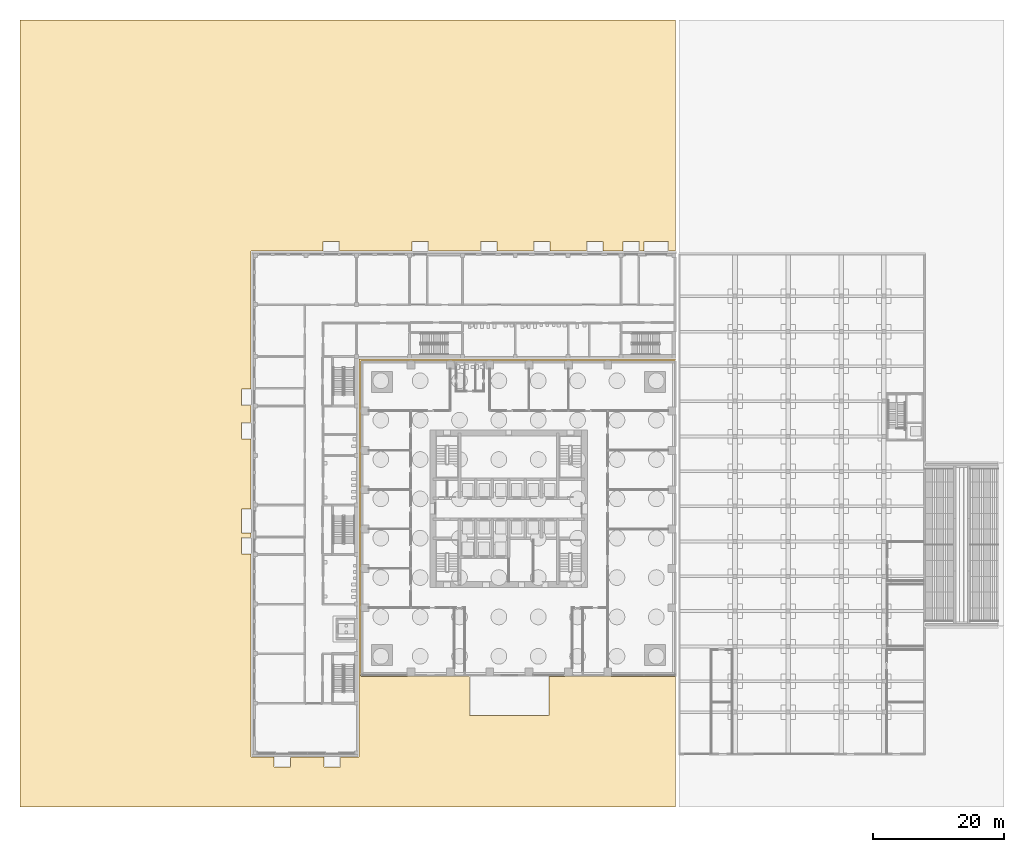
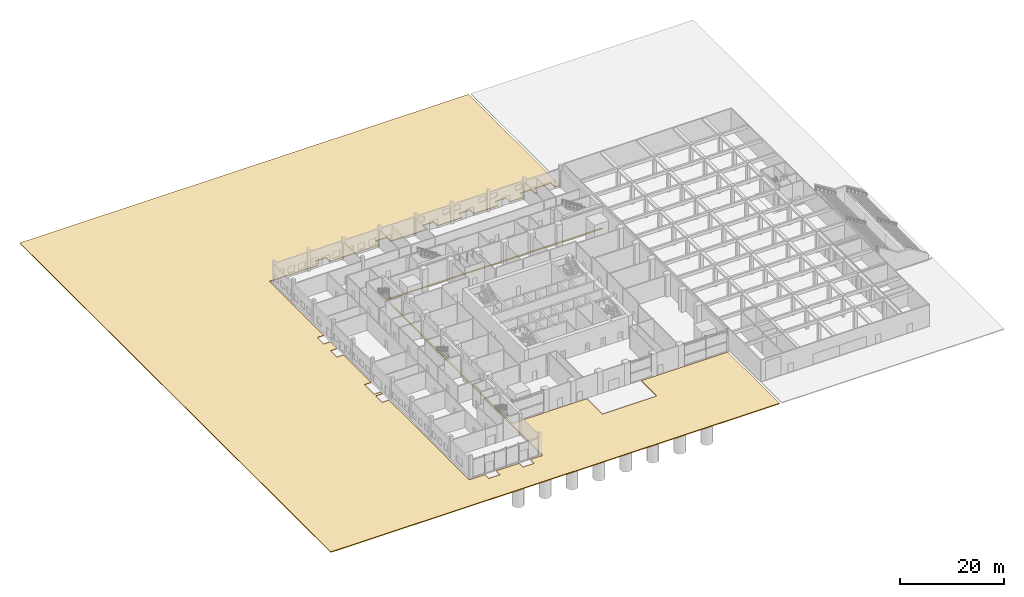
# One storey, part 27 of 33: 1 covering.
"""IFC4 building model written with IfcOpenShell, lengths in metres."""

import ifcopenshell
import ifcopenshell.guid

model = None  # the IFC model being written
_history = None  # IfcOwnerHistory: only IFC2X3 demands one
_inside = {}  # id of a spatial element -> (the spatial element, [elements in it])
_under = {}  # id of a project, library or spatial element -> (it, [spatial elements below it])
_declared = {}  # id of a project -> (the project, [libraries it declares])
_typed = {}  # id of a type object -> (the type object, [elements of that type])
_made_of = {}  # id of a material, layer set ... -> (it, [elements and type objects made of it])


def new_model(schema):
    """Start an empty IFC model of exactly this schema.

    Asked for "IFC4X3", IfcOpenShell would pick the latest addendum, in which some entities
    have other attributes; the version numbers below select the first issue.
    IFC2X3 requires an IfcOwnerHistory on every rooted entity: one is made here for all.
    """
    global model, _history
    if schema == "IFC4X3":
        model = ifcopenshell.file(schema_version=(4, 3, 0, 0))
    else:
        model = ifcopenshell.file(schema=schema)
    _inside.clear()
    _under.clear()
    _declared.clear()
    _typed.clear()
    _made_of.clear()
    _history = None
    if model.schema == "IFC2X3":
        org = make("IfcOrganization", Name="unknown")
        user = make(
            "IfcPersonAndOrganization",
            ThePerson=make("IfcPerson", FamilyName="unknown"),
            TheOrganization=org,
        )
        app = make(
            "IfcApplication",
            ApplicationDeveloper=org,
            Version="unknown",
            ApplicationFullName="unknown",
            ApplicationIdentifier="unknown",
        )
        _history = make(
            "IfcOwnerHistory",
            OwningUser=user,
            OwningApplication=app,
            ChangeAction="ADDED",
            CreationDate=0,
        )
    return model


def make(cls, **values):
    """One entity of the class cls with the attributes given. An attribute that is None is left unset."""
    return model.create_entity(
        cls, **{name: value for name, value in values.items() if value is not None}
    )


def rooted(cls, **values):
    """An entity with a GlobalId (a new one), such as an element, a storey or a relation."""
    return make(cls, GlobalId=ifcopenshell.guid.new(), OwnerHistory=_history, **values)


def si_unit(unit_type, name, prefix=None):
    """IfcSIUnit, for example si_unit("LENGTHUNIT", "METRE", prefix="MILLI")."""
    return make("IfcSIUnit", UnitType=unit_type, Prefix=prefix, Name=name)


def assignment(units):
    """IfcUnitAssignment: the units of a project."""
    return None if units is None else make("IfcUnitAssignment", Units=units)


def point(xyz):
    """IfcCartesianPoint."""
    return None if xyz is None else make("IfcCartesianPoint", Coordinates=xyz)


def direction(xyz):
    """IfcDirection."""
    return None if xyz is None else make("IfcDirection", DirectionRatios=xyz)


def frame(location, z_axis=None, x_axis=None):
    """IfcAxis2Placement3D, a coordinate frame: its origin and axes. An axis left out is left unset."""
    return make(
        "IfcAxis2Placement3D",
        Location=point(location),
        Axis=direction(z_axis),
        RefDirection=direction(x_axis),
    )


def origin():
    """The frame at (0, 0, 0) with its axes left unset."""
    return frame((0.0, 0.0, 0.0))


def place(relative_to, where):
    """IfcLocalPlacement: puts the frame where relative to a parent placement (None: the world)."""
    return make(
        "IfcLocalPlacement", PlacementRelTo=relative_to, RelativePlacement=where
    )


def context(
    kind, dimensions, precision=None, world=None, true_north=None, identifier=None
):
    """IfcGeometricRepresentationContext, for example the 3D "Model" context."""
    return make(
        "IfcGeometricRepresentationContext",
        ContextIdentifier=identifier,
        ContextType=kind,
        CoordinateSpaceDimension=dimensions,
        Precision=precision,
        WorldCoordinateSystem=world,
        TrueNorth=true_north,
    )


def subcontext(parent, identifier, kind, view, scale=None):
    """IfcGeometricRepresentationSubContext, for example "Body" below "Model"."""
    return make(
        "IfcGeometricRepresentationSubContext",
        ContextIdentifier=identifier,
        ContextType=kind,
        ParentContext=parent,
        TargetScale=scale,
        TargetView=view,
    )


def project(units=None, contexts=None):
    """IfcProject with its units and contexts."""
    return rooted(
        "IfcProject",
        Name="project",
        RepresentationContexts=contexts,
        UnitsInContext=assignment(units),
    )


def spatial(cls, under=None, at=None, **own):
    """A site, building, storey or space (cls), placed at a placement, below another one or the project."""
    s = rooted(cls, ObjectPlacement=at, **own)
    if under is not None:
        _under.setdefault(under.id(), (under, []))[1].append(s)
    return s


def polyline(points):
    """IfcPolyline through the points."""
    return make("IfcPolyline", Points=[point(p) for p in points])


def outline(outer, holes=None, kind="AREA"):
    """IfcArbitraryClosedProfileDef: a profile drawn as a closed curve; with holes, ...WithVoids."""
    if holes is None:
        return make("IfcArbitraryClosedProfileDef", ProfileType=kind, OuterCurve=outer)
    return make(
        "IfcArbitraryProfileDefWithVoids",
        ProfileType=kind,
        OuterCurve=outer,
        InnerCurves=holes,
    )


def extrude(swept, where, along, depth):
    """IfcExtrudedAreaSolid: the profile swept, set in the frame where, extruded along a direction by depth."""
    return make(
        "IfcExtrudedAreaSolid",
        SweptArea=swept,
        Position=where,
        ExtrudedDirection=direction(along),
        Depth=depth,
    )


def shape(context_of_items, identifier, shape_type, items):
    """IfcShapeRepresentation: the items that make up one representation, for example the "Body"."""
    return make(
        "IfcShapeRepresentation",
        ContextOfItems=context_of_items,
        RepresentationIdentifier=identifier,
        RepresentationType=shape_type,
        Items=items,
    )


def material(Name=None, Category=None):
    """IfcMaterial."""
    return make("IfcMaterial", Name=Name, Category=Category)


def layer(
    of_material, thickness, ventilated=None, Name=None, Category=None, Priority=None
):
    """IfcMaterialLayer: one layer of a wall or slab, of a material (None: an air gap)."""
    return make(
        "IfcMaterialLayer",
        Material=of_material,
        LayerThickness=thickness,
        IsVentilated=ventilated,
        Name=Name,
        Category=Category,
        Priority=Priority,
    )


def layer_set(layers, Name=None):
    """IfcMaterialLayerSet."""
    return make("IfcMaterialLayerSet", MaterialLayers=layers, LayerSetName=Name)


def made_of(thing, what):
    """Note that an element or type object is made of a material, layer set ...; save() writes the relation."""
    if what is not None:
        _made_of.setdefault(what.id(), (what, []))[1].append(thing)
    return thing


def type_object(cls, material=None, **own):
    """A type object (cls), such as IfcWallType, which elements share."""
    return made_of(rooted(cls, **own), material)


def element(
    cls,
    number,
    at=None,
    inside=None,
    cuts=None,
    type_object=None,
    material=None,
    context=None,
    identifier="Body",
    shape_type=None,
    held_by="IfcProductDefinitionShape",
    body=None,
    shapes=None,
    **own,
):
    """One element of the class cls, such as IfcWall. Its Tag is "e" and its number.

    at: its placement. inside: the storey or other place that contains it. cuts: it is an
    opening in that element (IfcRelVoidsElement). A single representation is given by context,
    identifier, shape_type and body (its items); several are given by shapes. held_by: the class
    of the entity that holds the representations. save() writes the other relations.
    """
    e = rooted(cls, Tag="e%d" % number, ObjectPlacement=at, **own)
    if body is not None:
        shapes = [shape(context, identifier, shape_type, body)]
    if shapes is not None:
        e.Representation = make(held_by, Representations=shapes)
    if inside is not None:
        _inside.setdefault(inside.id(), (inside, []))[1].append(e)
    if cuts is not None:
        rooted(
            "IfcRelVoidsElement", RelatingBuildingElement=cuts, RelatedOpeningElement=e
        )
    if type_object is not None:
        _typed.setdefault(type_object.id(), (type_object, []))[1].append(e)
    return made_of(e, material)


def aggregate(whole, parts):
    """IfcRelAggregates: a whole, such as a stair, and the parts it consists of."""
    return rooted("IfcRelAggregates", RelatingObject=whole, RelatedObjects=parts)


def save(model, path):
    """Write the relations noted so far, then the file.

    IfcRelAggregates (storeys below a building ...), IfcRelContainedInSpatialStructure (elements
    in a storey), IfcRelDefinesByType, IfcRelAssociatesMaterial and IfcRelDeclares: one each for
    every whole, place, type object, material and project.
    """
    for whole, parts in _under.values():
        aggregate(whole, parts)
    for where, things in _inside.values():
        rooted(
            "IfcRelContainedInSpatialStructure",
            RelatedElements=things,
            RelatingStructure=where,
        )
    for kind, things in _typed.values():
        rooted("IfcRelDefinesByType", RelatedObjects=things, RelatingType=kind)
    for what, things in _made_of.values():
        rooted("IfcRelAssociatesMaterial", RelatedObjects=things, RelatingMaterial=what)
    for by, libraries in _declared.values():
        rooted("IfcRelDeclares", RelatingContext=by, RelatedDefinitions=libraries)
    model.write(path)


model = new_model("IFC4")

# Units and contexts
model_context = context("Model", 3, precision=1e-05, world=origin(), true_north=direction((0.0, 1.0)))
body_context = subcontext(model_context, "Body", "Model", "MODEL_VIEW")
ifc_project = project(units=[si_unit("LENGTHUNIT", "METRE"), si_unit("AREAUNIT", "SQUARE_METRE"), si_unit("VOLUMEUNIT", "CUBIC_METRE"), si_unit("PLANEANGLEUNIT", "RADIAN"), si_unit("MASSUNIT", "GRAM", prefix="KILO")], contexts=[model_context])

# Site, building, storey
site_placement = place(None, origin())
site = spatial("IfcSite", under=ifc_project, at=site_placement, CompositionType="ELEMENT")
building_placement = place(site_placement, origin())
building = spatial("IfcBuilding", under=site, at=building_placement, Name="Amberfall Residences", CompositionType="ELEMENT")
storey_placement = place(building_placement, origin())
storey = spatial("IfcBuildingStorey", under=building, at=storey_placement, Name="L00", CompositionType="ELEMENT", Elevation=0.0)

# Covering
ifc_material = material(Name="Reinforced concrete C30 paving", Category="concrete")
ifc_layer = layer(ifc_material, 0.199951171875)
ifc_layer_set = layer_set([ifc_layer], Name="Site paving 200")
covering_type = type_object("IfcCoveringType", Name="Site paving 200", PredefinedType="FLOORING", material=ifc_layer_set)
covering_placement = place(storey_placement, frame((0.0, 0.0, -0.219970703125)))
element("IfcCovering", 1, at=covering_placement, inside=storey, type_object=covering_type, Name="Site paving", PredefinedType="FLOORING", context=body_context, shape_type="SweptSolid", body=[
    extrude(outline(polyline([(0.10009765625, 0.0), (0.029052734375, 0.029052734375), (0.0, 0.10009765625), (0.0, 119.89990234375), (0.02294921875, 119.962890625), (0.10009765625, 120.0), (99.85009765625, 120.0), (99.9130859375, 119.97705078125), (99.949951171875, 119.89990234375), (99.949951171875, 84.85009765625), (99.93310546875, 84.7939453125), (99.89697265625, 84.761962890625), (99.85009765625, 84.75), (98.949951171875, 84.75), (98.903076171875, 84.761962890625), (98.866943359375, 84.7939453125), (98.85009765625, 84.85009765625), (98.847900390625, 86.25), (95.14990234375, 86.25), (95.14990234375, 84.840087890625), (95.12109375, 84.779052734375), (95.050048828125, 84.75), (94.52294921875, 84.75), (94.47705078125, 84.76708984375), (94.44091796875, 84.81201171875), (94.430908203125, 86.25), (91.93310546875, 86.25), (91.93310546875, 84.840087890625), (91.904052734375, 84.779052734375), (91.8330078125, 84.75), (88.949951171875, 84.75), (88.903076171875, 84.761962890625), (88.866943359375, 84.7939453125), (88.85009765625, 84.85009765625), (88.847900390625, 86.25), (86.35009765625, 86.25), (86.35009765625, 84.840087890625), (86.321044921875, 84.779052734375), (86.25, 84.75), (80.85400390625, 84.75390625), (80.800048828125, 84.7939453125), (80.783935546875, 84.85009765625), (80.781005859375, 86.25), (78.283935546875, 86.25), (78.282958984375, 84.840087890625), (78.25390625, 84.779052734375), (78.18408203125, 84.75), (72.787109375, 84.75390625), (72.73291015625, 84.7939453125), (72.716064453125, 84.85009765625), (72.714111328125, 86.25), (70.217041015625, 86.25), (70.216064453125, 84.840087890625), (70.18701171875, 84.779052734375), (70.1259765625, 84.75), (62.35693359375, 84.75), (62.2958984375, 84.779052734375), (62.26708984375, 84.840087890625), (62.26708984375, 86.25), (59.76904296875, 86.25), (59.76708984375, 84.840087890625), (59.738037109375, 84.779052734375), (59.677001953125, 84.75), (48.800048828125, 84.75), (48.72900390625, 84.779052734375), (48.699951171875, 84.840087890625), (48.699951171875, 86.25), (46.201904296875, 86.25), (46.199951171875, 84.840087890625), (46.1708984375, 84.779052734375), (46.110107421875, 84.75), (35.25, 84.75), (35.25, 63.840087890625), (35.220947265625, 63.779052734375), (35.159912109375, 63.75), (33.75, 63.748046875), (33.75, 61.25), (35.159912109375, 61.25), (35.220947265625, 61.220947265625), (35.25, 61.14990234375), (35.25, 58.72509765625), (35.238037109375, 58.677978515625), (35.2060546875, 58.64208984375), (35.14990234375, 58.625), (33.75, 58.625), (33.75, 56.125), (35.159912109375, 56.125), (35.220947265625, 56.095947265625), (35.25, 56.02490234375), (35.25, 45.56494140625), (35.220947265625, 45.50390625), (35.159912109375, 45.47509765625), (33.75, 45.47509765625), (33.75, 41.77490234375), (35.18798828125, 41.76708984375), (35.22705078125, 41.738037109375), (35.25, 41.68505859375), (35.25, 41.199951171875), (35.220947265625, 41.12890625), (35.159912109375, 41.10009765625), (33.75, 41.10009765625), (33.75, 38.60205078125), (35.159912109375, 38.60009765625), (35.220947265625, 38.571044921875), (35.25, 38.5), (35.25, 7.64990234375), (38.68798828125, 7.64208984375), (38.73291015625, 7.60595703125), (38.75, 7.550048828125), (38.751953125, 6.14990234375), (41.25, 6.14990234375), (41.25, 7.56005859375), (41.279052734375, 7.62109375), (41.330078125, 7.64794921875), (46.260009765625, 7.64990234375), (46.321044921875, 7.62109375), (46.35009765625, 7.56005859375), (46.35009765625, 6.14990234375), (48.85009765625, 6.14990234375), (48.85009765625, 7.550048828125), (48.886962890625, 7.626953125), (48.949951171875, 7.64990234375), (51.64990234375, 7.64990234375), (51.64990234375, 8.092041015625), (51.69189453125, 8.219970703125), (51.699951171875, 8.298095703125), (51.69189453125, 8.3798828125), (51.64990234375, 8.51708984375), (51.64990234375, 15.633056640625), (51.699951171875, 15.847900390625), (51.69189453125, 15.929931640625), (51.64990234375, 16.06689453125), (51.64990234375, 23.18310546875), (51.699951171875, 23.39794921875), (51.69189453125, 23.47998046875), (51.64990234375, 23.616943359375), (51.64990234375, 30.73291015625), (51.699951171875, 30.947998046875), (51.69189453125, 31.030029296875), (51.64990234375, 31.1669921875), (51.64990234375, 38.282958984375), (51.699951171875, 38.498046875), (51.69189453125, 38.580078125), (51.64990234375, 38.717041015625), (51.64990234375, 45.8330078125), (51.699951171875, 46.048095703125), (51.69189453125, 46.1298828125), (51.64990234375, 46.26708984375), (51.64990234375, 53.383056640625), (51.699951171875, 53.597900390625), (51.69189453125, 53.679931640625), (51.64990234375, 53.81689453125), (51.64990234375, 60.93310546875), (51.699951171875, 61.14794921875), (51.69189453125, 61.22998046875), (51.64990234375, 61.366943359375), (51.64990234375, 68.25), (51.673095703125, 68.31298828125), (51.75, 68.35009765625), (59.14990234375, 68.35009765625), (59.364990234375, 68.300048828125), (59.447021484375, 68.30810546875), (59.583984375, 68.35009765625), (67.216064453125, 68.35009765625), (67.35302734375, 68.30810546875), (67.43505859375, 68.300048828125), (67.64990234375, 68.35009765625), (75.282958984375, 68.35009765625), (75.419921875, 68.30810546875), (75.501953125, 68.300048828125), (75.717041015625, 68.35009765625), (83.35009765625, 68.35009765625), (83.487060546875, 68.30810546875), (83.569091796875, 68.300048828125), (83.783935546875, 68.35009765625), (91.416015625, 68.35009765625), (91.552978515625, 68.30810546875), (91.635009765625, 68.300048828125), (91.85009765625, 68.35009765625), (99.48291015625, 68.35009765625), (99.6630859375, 68.302001953125), (99.843994140625, 68.322998046875), (99.89990234375, 68.31005859375), (99.946044921875, 68.2509765625), (99.947998046875, 68.1298828125), (99.9130859375, 68.072998046875), (99.85009765625, 68.050048828125), (89.8759765625, 68.050048828125), (89.73388671875, 68.0869140625), (89.60205078125, 68.10009765625), (89.466064453125, 68.0869140625), (89.323974609375, 68.050048828125), (83.8759765625, 68.050048828125), (83.73388671875, 68.0869140625), (83.60205078125, 68.10009765625), (83.466064453125, 68.0869140625), (83.323974609375, 68.050048828125), (77.8759765625, 68.050048828125), (77.73388671875, 68.0869140625), (77.60205078125, 68.10009765625), (77.466064453125, 68.0869140625), (77.323974609375, 68.050048828125), (71.8759765625, 68.050048828125), (71.73388671875, 68.0869140625), (71.60205078125, 68.10009765625), (71.466064453125, 68.0869140625), (71.323974609375, 68.050048828125), (65.8759765625, 68.050048828125), (65.73388671875, 68.0869140625), (65.60205078125, 68.10009765625), (65.466064453125, 68.0869140625), (65.323974609375, 68.050048828125), (59.8759765625, 68.050048828125), (59.73388671875, 68.0869140625), (59.597900390625, 68.10009765625), (59.466064453125, 68.0869140625), (59.323974609375, 68.050048828125), (51.949951171875, 68.050048828125), (51.949951171875, 60.676025390625), (51.9130859375, 60.533935546875), (51.89990234375, 60.402099609375), (51.9130859375, 60.26611328125), (51.949951171875, 60.1240234375), (51.949951171875, 54.676025390625), (51.9130859375, 54.533935546875), (51.89990234375, 54.402099609375), (51.9130859375, 54.26611328125), (51.949951171875, 54.1240234375), (51.949951171875, 48.676025390625), (51.9130859375, 48.533935546875), (51.89990234375, 48.402099609375), (51.9130859375, 48.26611328125), (51.949951171875, 48.1240234375), (51.949951171875, 42.676025390625), (51.9130859375, 42.533935546875), (51.89990234375, 42.402099609375), (51.9130859375, 42.26611328125), (51.949951171875, 42.1240234375), (51.949951171875, 36.676025390625), (51.9130859375, 36.533935546875), (51.89990234375, 36.402099609375), (51.9130859375, 36.26611328125), (51.949951171875, 36.1240234375), (51.949951171875, 30.676025390625), (51.9130859375, 30.533935546875), (51.89990234375, 30.402099609375), (51.9130859375, 30.26611328125), (51.949951171875, 30.1240234375), (51.949951171875, 20.282958984375), (51.93798828125, 20.235107421875), (51.885986328125, 20.158935546875), (51.875, 20.097900390625), (51.89306640625, 20.027099609375), (51.931884765625, 19.97802734375), (52.0048828125, 19.93701171875), (52.070068359375, 19.925048828125), (58.929931640625, 19.925048828125), (59.032958984375, 19.948974609375), (59.323974609375, 19.949951171875), (59.466064453125, 19.9130859375), (59.60205078125, 19.89990234375), (59.73388671875, 19.9130859375), (59.8759765625, 19.949951171875), (65.323974609375, 19.949951171875), (65.466064453125, 19.9130859375), (65.60205078125, 19.89990234375), (65.73388671875, 19.9130859375), (65.8759765625, 19.949951171875), (68.488037109375, 19.94189453125), (68.532958984375, 19.906005859375), (68.550048828125, 19.85009765625), (68.552001953125, 13.949951171875), (80.64990234375, 13.949951171875), (80.64990234375, 19.824951171875), (80.673095703125, 19.887939453125), (80.72998046875, 19.923095703125), (82.929931640625, 19.925048828125), (83.032958984375, 19.948974609375), (83.323974609375, 19.949951171875), (83.466064453125, 19.9130859375), (83.60205078125, 19.89990234375), (83.73388671875, 19.9130859375), (83.8759765625, 19.949951171875), (89.323974609375, 19.949951171875), (89.466064453125, 19.9130859375), (89.60205078125, 19.89990234375), (89.73388671875, 19.9130859375), (89.864990234375, 19.948974609375), (90.156005859375, 19.949951171875), (90.27001953125, 19.925048828125), (99.887939453125, 19.9169921875), (99.93310546875, 19.881103515625), (99.949951171875, 19.824951171875), (99.949951171875, 0.10009765625), (99.927001953125, 0.037109375), (99.85009765625, 0.0), (0.10009765625, 0.0)])), origin(), (0.0, 0.0, 1.0), 0.199951171875),
])

save(model, "model.ifc")
